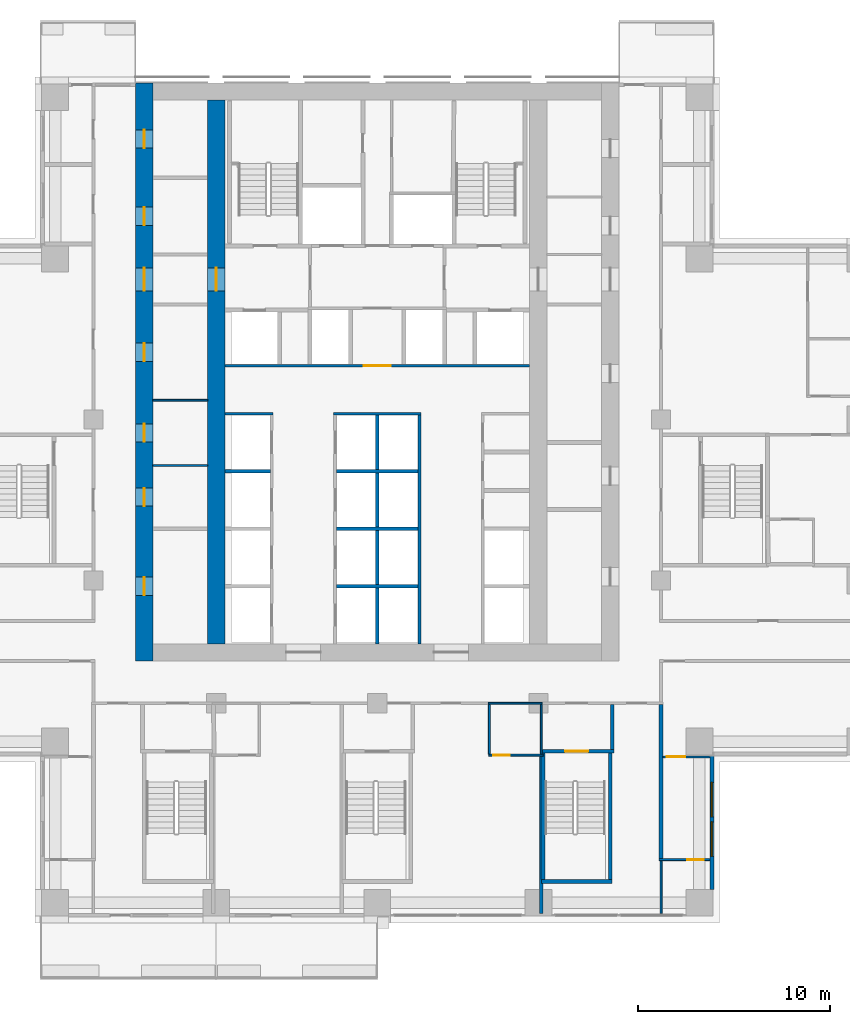
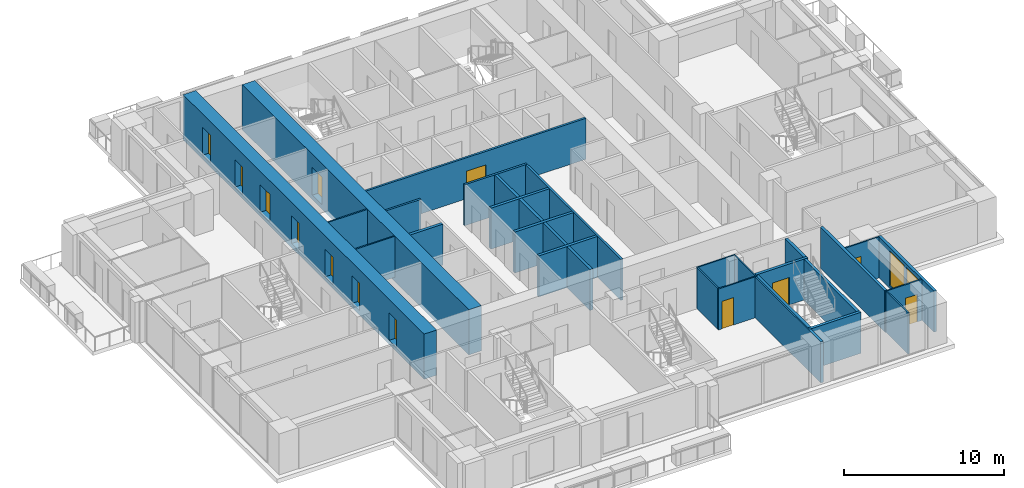
# One storey, part 8 of 16: 28 walls, 13 doors, 2 windows, 15 openings.
"""IFC4 building model written with IfcOpenShell, lengths in metres."""

from ifc_helpers import new_model, si_unit, direction, frame, frame_2d, origin, place, context, subcontext, project, spatial, rectangle, extrude, material, layer, layer_set, type_object, element, fill, save


model = new_model("IFC4")

# Units and contexts
model_context = context("Model", 3, precision=1e-05, world=origin(), true_north=direction((0.0, 1.0)))
body_context = subcontext(model_context, "Body", "Model", "MODEL_VIEW")
ifc_project = project(units=[si_unit("LENGTHUNIT", "METRE"), si_unit("AREAUNIT", "SQUARE_METRE"), si_unit("VOLUMEUNIT", "CUBIC_METRE"), si_unit("PLANEANGLEUNIT", "RADIAN"), si_unit("MASSUNIT", "GRAM", prefix="KILO")], contexts=[model_context])

# Site, building, storey
site_placement = place(None, origin())
site = spatial("IfcSite", under=ifc_project, at=site_placement, CompositionType="ELEMENT")
building_placement = place(site_placement, origin())
building = spatial("IfcBuilding", under=site, at=building_placement, Name="Vermilion Ogive Tower", CompositionType="ELEMENT")
storey_placement = place(building_placement, frame((0.0, 0.0, 41.39990234375)))
storey = spatial("IfcBuildingStorey", under=building, at=storey_placement, Name="L08", CompositionType="ELEMENT", Elevation=41.39990234375)

# Wall, openings, doors
ifc_material_1 = material(Name="Concrete B80", Category="concrete")
ifc_layer_1 = layer(ifc_material_1, 0.89990234375)
ifc_layer_set_1 = layer_set([ifc_layer_1], Name="Core wall 900 B80")
wall_type_1 = type_object("IfcWallType", Name="Core wall 900 B80", PredefinedType="SHEAR", material=ifc_layer_set_1)
wall_1_placement = place(storey_placement, frame((-12.14990234375, -8.39990234375, -0.31982421875), z_axis=(0.0, 0.0, 1.0), x_axis=(0.0, 1.0, 0.0)))
wall_1 = element("IfcWall", 1, at=wall_1_placement, inside=storey, type_object=wall_type_1, Name="L08-CORE-W", PredefinedType="SHEAR", context=body_context, shape_type="SweptSolid", body=[
    extrude(rectangle(XDim=30.14990234375, YDim=0.89990234375, at=frame_2d((15.074951171875, 0.0))), origin(), (0.0, 0.0, 1.0), 3.449951171875),
])
opening_1_placement = place(wall_1_placement, frame((3.425048828125, 0.0, 0.320068359375)))
opening_1 = element("IfcOpeningElement", 2, at=opening_1_placement, cuts=wall_1, Name="Opening DAD006", PredefinedType="OPENING", context=body_context, shape_type="SweptSolid", body=[
    extrude(rectangle(XDim=0.949951171875, YDim=2.10009765625, at=frame_2d((0.47509765625, 1.050048828125))), frame((0.0, 0.4599609375, 0.0), z_axis=(0.0, -1.0, 0.0), x_axis=(1.0, 0.0, 0.0)), (0.0, 0.0, 1.0), 0.919921875),
])
opening_2_placement = place(wall_1_placement, frame((8.074951171875, 0.0, 0.320068359375)))
opening_2 = element("IfcOpeningElement", 3, at=opening_2_placement, cuts=wall_1, Name="Opening DAD007", PredefinedType="OPENING", context=body_context, shape_type="SweptSolid", body=[
    extrude(rectangle(XDim=0.949951171875, YDim=2.10009765625, at=frame_2d((0.47509765625, 1.050048828125))), frame((0.0, 0.4599609375, 0.0), z_axis=(0.0, -1.0, 0.0), x_axis=(1.0, 0.0, 0.0)), (0.0, 0.0, 1.0), 0.919921875),
])
opening_3_placement = place(wall_1_placement, frame((11.425048828125, 0.0, 0.320068359375)))
opening_3 = element("IfcOpeningElement", 4, at=opening_3_placement, cuts=wall_1, Name="Opening DAD008", PredefinedType="OPENING", context=body_context, shape_type="SweptSolid", body=[
    extrude(rectangle(XDim=0.949951171875, YDim=2.10009765625, at=frame_2d((0.47509765625, 1.050048828125))), frame((0.0, 0.4599609375, 0.0), z_axis=(0.0, -1.0, 0.0), x_axis=(1.0, 0.0, 0.0)), (0.0, 0.0, 1.0), 0.919921875),
])
opening_4_placement = place(wall_1_placement, frame((15.625, 0.0, 0.320068359375)))
opening_4 = element("IfcOpeningElement", 5, at=opening_4_placement, cuts=wall_1, Name="Opening DAD009", PredefinedType="OPENING", context=body_context, shape_type="SweptSolid", body=[
    extrude(rectangle(XDim=0.949951171875, YDim=2.10009765625, at=frame_2d((0.47509765625, 1.050048828125))), frame((0.0, 0.4599609375, 0.0), z_axis=(0.0, -1.0, 0.0), x_axis=(1.0, 0.0, 0.0)), (0.0, 0.0, 1.0), 0.919921875),
])
opening_5_placement = place(wall_1_placement, frame((22.72509765625, 0.0, 0.320068359375)))
opening_5 = element("IfcOpeningElement", 6, at=opening_5_placement, cuts=wall_1, Name="Opening DAD010", PredefinedType="OPENING", context=body_context, shape_type="SweptSolid", body=[
    extrude(rectangle(XDim=0.949951171875, YDim=2.10009765625, at=frame_2d((0.47509765625, 1.050048828125))), frame((0.0, 0.4599609375, 0.0), z_axis=(0.0, -1.0, 0.0), x_axis=(1.0, 0.0, 0.0)), (0.0, 0.0, 1.0), 0.919921875),
])
opening_6_placement = place(wall_1_placement, frame((26.75, 0.0, 0.320068359375)))
opening_6 = element("IfcOpeningElement", 7, at=opening_6_placement, cuts=wall_1, Name="Opening DAD011", PredefinedType="OPENING", context=body_context, shape_type="SweptSolid", body=[
    extrude(rectangle(XDim=0.949951171875, YDim=2.10009765625, at=frame_2d((0.47509765625, 1.050048828125))), frame((0.0, 0.4599609375, 0.0), z_axis=(0.0, -1.0, 0.0), x_axis=(1.0, 0.0, 0.0)), (0.0, 0.0, 1.0), 0.919921875),
])
opening_7_placement = place(wall_1_placement, frame((19.300048828125, 0.0, 0.320068359375)))
opening_7 = element("IfcOpeningElement", 8, at=opening_7_placement, cuts=wall_1, Name="Opening DAM002", PredefinedType="OPENING", context=body_context, shape_type="SweptSolid", body=[
    extrude(rectangle(XDim=1.199951171875, YDim=2.10009765625, at=frame_2d((0.60009765625, 1.050048828125))), frame((0.0, 0.4599609375, 0.0), z_axis=(0.0, -1.0, 0.0), x_axis=(1.0, 0.0, 0.0)), (0.0, 0.0, 1.0), 0.919921875),
])
ifc_material_2 = material(Name="Timber door leaf", Category="wood")
door_type_1 = type_object("IfcDoorType", Name="Link door 1200 x 2100 FD60S", OperationType="SINGLE_SWING_LEFT", PredefinedType="DOOR", material=ifc_material_2)
door_1_placement = place(opening_7_placement, origin())
door_1 = element("IfcDoor", 9, at=door_1_placement, inside=storey, type_object=door_type_1, Name="L08-CKW-XL", OperationType="SINGLE_SWING_LEFT", OverallHeight=2.10009765625, OverallWidth=1.199951171875, PredefinedType="DOOR", context=body_context, shape_type="SweptSolid", body=[
    extrude(rectangle(XDim=1.199951171875, YDim=2.10009765625, at=frame_2d((0.60009765625, 1.050048828125))), frame((0.0, 0.02490234375, 0.0), z_axis=(0.0, -1.0, 0.0), x_axis=(1.0, 0.0, 0.0)), (0.0, 0.0, 1.0), 0.050048828125),
])
fill(opening_7, door_1)
ifc_material_3 = material(Name="Timber door leaf", Category="wood")
door_type_2 = type_object("IfcDoorType", Name="Service door 950 x 2100 FD60", OperationType="SINGLE_SWING_LEFT", PredefinedType="DOOR", material=ifc_material_3)
door_2_placement = place(opening_1_placement, origin())
door_2 = element("IfcDoor", 10, at=door_2_placement, inside=storey, type_object=door_type_2, Name="L08-CKW-XR0", OperationType="SINGLE_SWING_LEFT", OverallHeight=2.10009765625, OverallWidth=0.949951171875, PredefinedType="DOOR", context=body_context, shape_type="SweptSolid", body=[
    extrude(rectangle(XDim=0.949951171875, YDim=2.10009765625, at=frame_2d((0.47509765625, 1.050048828125))), frame((0.0, 0.02490234375, 0.0), z_axis=(0.0, -1.0, 0.0), x_axis=(1.0, 0.0, 0.0)), (0.0, 0.0, 1.0), 0.050048828125),
])
fill(opening_1, door_2)
door_3_placement = place(opening_2_placement, origin())
door_3 = element("IfcDoor", 11, at=door_3_placement, inside=storey, type_object=door_type_2, Name="L08-CKW-XR1", OperationType="SINGLE_SWING_LEFT", OverallHeight=2.10009765625, OverallWidth=0.949951171875, PredefinedType="DOOR", context=body_context, shape_type="SweptSolid", body=[
    extrude(rectangle(XDim=0.949951171875, YDim=2.10009765625, at=frame_2d((0.47509765625, 1.050048828125))), frame((0.0, 0.02490234375, 0.0), z_axis=(0.0, -1.0, 0.0), x_axis=(1.0, 0.0, 0.0)), (0.0, 0.0, 1.0), 0.050048828125),
])
fill(opening_2, door_3)
door_4_placement = place(opening_3_placement, origin())
door_4 = element("IfcDoor", 12, at=door_4_placement, inside=storey, type_object=door_type_2, Name="L08-CKW-XR2", OperationType="SINGLE_SWING_LEFT", OverallHeight=2.10009765625, OverallWidth=0.949951171875, PredefinedType="DOOR", context=body_context, shape_type="SweptSolid", body=[
    extrude(rectangle(XDim=0.949951171875, YDim=2.10009765625, at=frame_2d((0.47509765625, 1.050048828125))), frame((0.0, 0.02490234375, 0.0), z_axis=(0.0, -1.0, 0.0), x_axis=(1.0, 0.0, 0.0)), (0.0, 0.0, 1.0), 0.050048828125),
])
fill(opening_3, door_4)
door_5_placement = place(opening_4_placement, origin())
door_5 = element("IfcDoor", 13, at=door_5_placement, inside=storey, type_object=door_type_2, Name="L08-CKW-XR3", OperationType="SINGLE_SWING_LEFT", OverallHeight=2.10009765625, OverallWidth=0.949951171875, PredefinedType="DOOR", context=body_context, shape_type="SweptSolid", body=[
    extrude(rectangle(XDim=0.949951171875, YDim=2.10009765625, at=frame_2d((0.47509765625, 1.050048828125))), frame((0.0, 0.02490234375, 0.0), z_axis=(0.0, -1.0, 0.0), x_axis=(1.0, 0.0, 0.0)), (0.0, 0.0, 1.0), 0.050048828125),
])
fill(opening_4, door_5)
door_6_placement = place(opening_5_placement, origin())
door_6 = element("IfcDoor", 14, at=door_6_placement, inside=storey, type_object=door_type_2, Name="L08-CKW-XR4", OperationType="SINGLE_SWING_LEFT", OverallHeight=2.10009765625, OverallWidth=0.949951171875, PredefinedType="DOOR", context=body_context, shape_type="SweptSolid", body=[
    extrude(rectangle(XDim=0.949951171875, YDim=2.10009765625, at=frame_2d((0.47509765625, 1.050048828125))), frame((0.0, 0.02490234375, 0.0), z_axis=(0.0, -1.0, 0.0), x_axis=(1.0, 0.0, 0.0)), (0.0, 0.0, 1.0), 0.050048828125),
])
fill(opening_5, door_6)
door_7_placement = place(opening_6_placement, origin())
door_7 = element("IfcDoor", 15, at=door_7_placement, inside=storey, type_object=door_type_2, Name="L08-CKW-XR5", OperationType="SINGLE_SWING_LEFT", OverallHeight=2.10009765625, OverallWidth=0.949951171875, PredefinedType="DOOR", context=body_context, shape_type="SweptSolid", body=[
    extrude(rectangle(XDim=0.949951171875, YDim=2.10009765625, at=frame_2d((0.47509765625, 1.050048828125))), frame((0.0, 0.02490234375, 0.0), z_axis=(0.0, -1.0, 0.0), x_axis=(1.0, 0.0, 0.0)), (0.0, 0.0, 1.0), 0.050048828125),
])
fill(opening_6, door_7)

# Wall, opening, door
wall_2_placement = place(storey_placement, frame((-8.39990234375, -7.5, -0.31982421875), z_axis=(0.0, 0.0, 1.0), x_axis=(0.0, 1.0, 0.0)))
wall_2 = element("IfcWall", 16, at=wall_2_placement, inside=storey, type_object=wall_type_1, Name="L08-CORE-WEB1", PredefinedType="SHEAR", context=body_context, shape_type="SweptSolid", body=[
    extrude(rectangle(XDim=28.35009765625, YDim=0.89990234375, at=frame_2d((14.175048828125, 0.0))), origin(), (0.0, 0.0, 1.0), 3.449951171875),
])
opening_8_placement = place(wall_2_placement, frame((18.39990234375, 0.0, 0.320068359375)))
opening_8 = element("IfcOpeningElement", 17, at=opening_8_placement, cuts=wall_2, Name="Opening DAP002", PredefinedType="OPENING", context=body_context, shape_type="SweptSolid", body=[
    extrude(rectangle(XDim=1.199951171875, YDim=2.10009765625, at=frame_2d((0.60009765625, 1.050048828125))), frame((0.0, 0.4599609375, 0.0), z_axis=(0.0, -1.0, 0.0), x_axis=(1.0, 0.0, 0.0)), (0.0, 0.0, 1.0), 0.919921875),
])
door_8_placement = place(opening_8_placement, origin())
door_8 = element("IfcDoor", 18, at=door_8_placement, inside=storey, type_object=door_type_1, Name="L08-CKW-XW", OperationType="SINGLE_SWING_LEFT", OverallHeight=2.10009765625, OverallWidth=1.199951171875, PredefinedType="DOOR", context=body_context, shape_type="SweptSolid", body=[
    extrude(rectangle(XDim=1.199951171875, YDim=2.10009765625, at=frame_2d((0.60009765625, 1.050048828125))), frame((0.0, 0.02490234375, 0.0), z_axis=(0.0, -1.0, 0.0), x_axis=(1.0, 0.0, 0.0)), (0.0, 0.0, 1.0), 0.050048828125),
])
fill(opening_8, door_8)

ifc_material_4 = material(Name="Gypsum board partition on steel studs", Category="steel")
ifc_layer_2 = layer(ifc_material_4, 0.10009765625)
ifc_layer_set_2 = layer_set([ifc_layer_2], Name="Partition 100 bath")
wall_type_2 = type_object("IfcWallType", Name="Partition 100 bath", PredefinedType="PARTITIONING", material=ifc_layer_set_2)
wall_3_placement = place(storey_placement, frame((14.699951171875, -18.75, 0.0), z_axis=(0.0, 0.0, 1.0), x_axis=(1.0, 0.0, 0.0)))
wall_3 = element("IfcWall", 19, at=wall_3_placement, inside=storey, type_object=wall_type_2, Name="L08-W-W005", PredefinedType="PARTITIONING", context=body_context, shape_type="SweptSolid", body=[
    extrude(rectangle(XDim=2.650146484375, YDim=0.10009765625, at=frame_2d((1.3251953125, 0.0))), origin(), (0.0, 0.0, 1.0), 3.130126953125),
])
opening_9_placement = place(wall_3_placement, frame((1.47509765625, 0.0, 0.0)))
opening_9 = element("IfcOpeningElement", 20, at=opening_9_placement, cuts=wall_3, Name="Opening D1G2017", PredefinedType="OPENING", context=body_context, shape_type="SweptSolid", body=[
    extrude(rectangle(XDim=0.85009765625, YDim=2.10009765625, at=frame_2d((0.425048828125, 1.050048828125))), frame((0.0, 0.06005859375, 0.0), z_axis=(0.0, -1.0, 0.0), x_axis=(1.0, 0.0, 0.0)), (0.0, 0.0, 1.0), 0.1201171875),
])
ifc_material_5 = material(Name="Timber door leaf", Category="wood")
door_type_3 = type_object("IfcDoorType", Name="Bath door 850 x 2100 FD30", OperationType="SINGLE_SWING_LEFT", PredefinedType="DOOR", material=ifc_material_5)
door_9_placement = place(opening_9_placement, origin())
door_9 = element("IfcDoor", 21, at=door_9_placement, inside=storey, type_object=door_type_3, Name="L08-D-D017", OperationType="SINGLE_SWING_LEFT", OverallHeight=2.10009765625, OverallWidth=0.85009765625, PredefinedType="DOOR", context=body_context, shape_type="SweptSolid", body=[
    extrude(rectangle(XDim=0.85009765625, YDim=2.10009765625, at=frame_2d((0.425048828125, 1.050048828125))), frame((0.0, 0.02490234375, 0.0), z_axis=(0.0, -1.0, 0.0), x_axis=(1.0, 0.0, 0.0)), (0.0, 0.0, 1.0), 0.050048828125),
])
fill(opening_9, door_9)

wall_4_placement = place(storey_placement, frame((5.802001953125, -13.300048828125, 0.0), z_axis=(0.0, 0.0, 1.0), x_axis=(1.0, 0.0, 0.0)))
wall_4 = element("IfcWall", 22, at=wall_4_placement, inside=storey, type_object=wall_type_2, Name="L08-W-W009", PredefinedType="PARTITIONING", context=body_context, shape_type="SweptSolid", body=[
    extrude(rectangle(XDim=2.847900390625, YDim=0.10009765625, at=frame_2d((1.423828125, 0.0))), origin(), (0.0, 0.0, 1.0), 3.130126953125),
])
opening_10_placement = place(wall_4_placement, frame((0.248046875, 0.0, 0.0)))
opening_10 = element("IfcOpeningElement", 23, at=opening_10_placement, cuts=wall_4, Name="Opening D1G2014", PredefinedType="OPENING", context=body_context, shape_type="SweptSolid", body=[
    extrude(rectangle(XDim=0.85009765625, YDim=2.10009765625, at=frame_2d((0.425048828125, 1.050048828125))), frame((0.0, 0.06005859375, 0.0), z_axis=(0.0, -1.0, 0.0), x_axis=(1.0, 0.0, 0.0)), (0.0, 0.0, 1.0), 0.1201171875),
])
door_10_placement = place(opening_10_placement, origin())
door_10 = element("IfcDoor", 24, at=door_10_placement, inside=storey, type_object=door_type_3, Name="L08-D-D014", OperationType="SINGLE_SWING_LEFT", OverallHeight=2.10009765625, OverallWidth=0.85009765625, PredefinedType="DOOR", context=body_context, shape_type="SweptSolid", body=[
    extrude(rectangle(XDim=0.85009765625, YDim=2.10009765625, at=frame_2d((0.425048828125, 1.050048828125))), frame((0.0, 0.02490234375, 0.0), z_axis=(0.0, -1.0, 0.0), x_axis=(1.0, 0.0, 0.0)), (0.0, 0.0, 1.0), 0.050048828125),
])
fill(opening_10, door_10)

# Walls
wall_5_placement = place(storey_placement, frame((5.800048828125, -10.60009765625, 0.0), z_axis=(0.0, 0.0, 1.0), x_axis=(1.0, 0.0, 0.0)))
element("IfcWall", 25, at=wall_5_placement, inside=storey, type_object=wall_type_2, Name="L08-W-W016", PredefinedType="PARTITIONING", context=body_context, shape_type="SweptSolid", body=[
    extrude(rectangle(XDim=2.800048828125, YDim=0.10009765625, at=frame_2d((1.39990234375, 0.0))), origin(), (0.0, 0.0, 1.0), 3.130126953125),
])
wall_6_placement = place(storey_placement, frame((5.85009765625, -13.248046875, 0.0), z_axis=(0.0, 0.0, 1.0), x_axis=(0.0, 1.0, 0.0)))
element("IfcWall", 26, at=wall_6_placement, inside=storey, type_object=wall_type_2, Name="L08-W-W059", PredefinedType="PARTITIONING", context=body_context, shape_type="SweptSolid", body=[
    extrude(rectangle(XDim=2.572998046875, YDim=0.10009765625, at=frame_2d((1.28662109375, 0.0))), origin(), (0.0, 0.0, 1.0), 3.130126953125),
])
wall_7_placement = place(storey_placement, frame((8.550048828125, -13.25, 0.0), z_axis=(0.0, 0.0, 1.0), x_axis=(0.0, 1.0, 0.0)))
element("IfcWall", 27, at=wall_7_placement, inside=storey, type_object=wall_type_2, Name="L08-W-W061", PredefinedType="PARTITIONING", context=body_context, shape_type="SweptSolid", body=[
    extrude(rectangle(XDim=2.574951171875, YDim=0.10009765625, at=frame_2d((1.28759765625, 0.0))), origin(), (0.0, 0.0, 1.0), 3.130126953125),
])
wall_8_placement = place(storey_placement, frame((14.800048828125, -21.550048828125, 0.0), z_axis=(0.0, 0.0, 1.0), x_axis=(0.0, 1.0, 0.0)))
element("IfcWall", 28, at=wall_8_placement, inside=storey, type_object=wall_type_2, Name="L08-W-W065", PredefinedType="PARTITIONING", context=body_context, shape_type="SweptSolid", body=[
    extrude(rectangle(XDim=2.75, YDim=0.10009765625, at=frame_2d((1.375, 0.0))), origin(), (0.0, 0.0, 1.0), 3.130126953125),
])
for number, where, z_axis, x_axis, name in (
    (29, (-11.698974609375, 1.800048828125, 0.0), (0.0, 0.0, 1.0), (1.0, 0.0, 0.0), "L08-CKW-W-W002"),
    (30, (-11.698974609375, 5.199951171875, 0.0), (0.0, 0.0, 1.0), (1.0, 0.0, 0.0), "L08-CKW-W-W003"),
):
    element("IfcWall", number, at=place(storey_placement, frame(where, z_axis=z_axis, x_axis=x_axis)), inside=storey, type_object=wall_type_2, Name=name, PredefinedType="PARTITIONING", context=body_context, shape_type="SweptSolid", body=[
        extrude(rectangle(XDim=2.847900390625, YDim=0.10009765625, at=frame_2d((1.423828125, 0.0))), origin(), (0.0, 0.0, 1.0), 3.130126953125),
    ])

# Wall, opening, door
ifc_material_6 = material(Name="Gypsum board partition on steel studs", Category="steel")
ifc_layer_3 = layer(ifc_material_6, 0.10009765625)
ifc_layer_set_3 = layer_set([ifc_layer_3], Name="Partition 100 inner")
wall_type_3 = type_object("IfcWallType", Name="Partition 100 inner", PredefinedType="PARTITIONING", material=ifc_layer_set_3)
wall_9_placement = place(storey_placement, frame((14.89990234375, -13.39990234375, 0.0), z_axis=(0.0, 0.0, 1.0), x_axis=(1.0, 0.0, 0.0)))
wall_9 = element("IfcWall", 31, at=wall_9_placement, inside=storey, type_object=wall_type_3, Name="L08-W-W007", PredefinedType="PARTITIONING", context=body_context, shape_type="SweptSolid", body=[
    extrude(rectangle(XDim=2.4501953125, YDim=0.10009765625, at=frame_2d((1.22509765625, 0.0))), origin(), (0.0, 0.0, 1.0), 3.130126953125),
])
opening_11_placement = place(wall_9_placement, frame((0.2001953125, 0.0, 0.0)))
opening_11 = element("IfcOpeningElement", 32, at=opening_11_placement, cuts=wall_9, Name="Opening D1G2016", PredefinedType="OPENING", context=body_context, shape_type="SweptSolid", body=[
    extrude(rectangle(XDim=0.949951171875, YDim=2.10009765625, at=frame_2d((0.47509765625, 1.050048828125))), frame((0.0, 0.06005859375, 0.0), z_axis=(0.0, -1.0, 0.0), x_axis=(1.0, 0.0, 0.0)), (0.0, 0.0, 1.0), 0.1201171875),
])
ifc_material_7 = material(Name="Timber door leaf", Category="wood")
door_type_4 = type_object("IfcDoorType", Name="Inner door 950 x 2100 FD30", OperationType="SINGLE_SWING_LEFT", PredefinedType="DOOR", material=ifc_material_7)
door_11_placement = place(opening_11_placement, origin())
door_11 = element("IfcDoor", 33, at=door_11_placement, inside=storey, type_object=door_type_4, Name="L08-D-D016", OperationType="SINGLE_SWING_RIGHT", OverallHeight=2.10009765625, OverallWidth=0.949951171875, PredefinedType="DOOR", context=body_context, shape_type="SweptSolid", body=[
    extrude(rectangle(XDim=0.949951171875, YDim=2.10009765625, at=frame_2d((0.47509765625, 1.050048828125))), frame((0.0, 0.02490234375, 0.0), z_axis=(0.0, -1.0, 0.0), x_axis=(1.0, 0.0, 0.0)), (0.0, 0.0, 1.0), 0.050048828125),
])
fill(opening_11, door_11)

# Walls
ifc_material_8 = material(Name="Gypsum board partition on steel studs", Category="steel")
ifc_layer_4 = layer(ifc_material_8, 0.14990234375)
ifc_layer_set_4 = layer_set([ifc_layer_4], Name="Partition 150 corridor")
wall_type_4 = type_object("IfcWallType", Name="Partition 150 corridor", PredefinedType="PARTITIONING", material=ifc_layer_set_4)
wall_10_placement = place(storey_placement, frame((-7.948974609375, 4.5, 0.0), z_axis=(0.0, 0.0, 1.0), x_axis=(1.0, 0.0, 0.0)))
element("IfcWall", 34, at=wall_10_placement, inside=storey, type_object=wall_type_4, Name="L08-CK-W-W011", PredefinedType="PARTITIONING", context=body_context, shape_type="SweptSolid", body=[
    extrude(rectangle(XDim=2.52392578125, YDim=0.14990234375, at=frame_2d((1.261962890625, 0.0))), origin(), (0.0, 0.0, 1.0), 3.130126953125),
])
wall_11_placement = place(storey_placement, frame((-2.27490234375, 4.5, 0.0), z_axis=(0.0, 0.0, 1.0), x_axis=(1.0, 0.0, 0.0)))
element("IfcWall", 35, at=wall_11_placement, inside=storey, type_object=wall_type_4, Name="L08-CK-W-W012", PredefinedType="PARTITIONING", context=body_context, shape_type="SweptSolid", body=[
    extrude(rectangle(XDim=4.5498046875, YDim=0.14990234375, at=frame_2d((2.27490234375, 0.0))), origin(), (0.0, 0.0, 1.0), 3.130126953125),
])

# Wall, opening, door
wall_12_placement = place(storey_placement, frame((-7.948974609375, 7.0, 0.0), z_axis=(0.0, 0.0, 1.0), x_axis=(1.0, 0.0, 0.0)))
wall_12 = element("IfcWall", 36, at=wall_12_placement, inside=storey, type_object=wall_type_4, Name="L08-CK-W-W014", PredefinedType="PARTITIONING", context=body_context, shape_type="SweptSolid", body=[
    extrude(rectangle(XDim=15.89794921875, YDim=0.14990234375, at=frame_2d((7.948974609375, 0.0))), origin(), (0.0, 0.0, 1.0), 3.130126953125),
])
opening_12_placement = place(wall_12_placement, frame((7.2490234375, 0.0, 0.0)))
opening_12 = element("IfcOpeningElement", 37, at=opening_12_placement, cuts=wall_12, Name="Opening DAA024", PredefinedType="OPENING", context=body_context, shape_type="SweptSolid", body=[
    extrude(rectangle(XDim=1.39990234375, YDim=2.10009765625, at=frame_2d((0.699951171875, 1.050048828125))), frame((0.0, 0.0849609375, 0.0), z_axis=(0.0, -1.0, 0.0), x_axis=(1.0, 0.0, 0.0)), (0.0, 0.0, 1.0), 0.169921875),
])
ifc_material_9 = material(Name="Timber door leaf", Category="wood")
door_type_5 = type_object("IfcDoorType", Name="Lobby door 1400 x 2100 FD60S", OperationType="SINGLE_SWING_LEFT", PredefinedType="DOOR", material=ifc_material_9)
door_12_placement = place(opening_12_placement, origin())
door_12 = element("IfcDoor", 38, at=door_12_placement, inside=storey, type_object=door_type_5, Name="L08-CK-D-D016", OperationType="SINGLE_SWING_RIGHT", OverallHeight=2.10009765625, OverallWidth=1.39990234375, PredefinedType="DOOR", context=body_context, shape_type="SweptSolid", body=[
    extrude(rectangle(XDim=1.39990234375, YDim=2.10009765625, at=frame_2d((0.699951171875, 1.050048828125))), frame((0.0, 0.02490234375, 0.0), z_axis=(0.0, -1.0, 0.0), x_axis=(1.0, 0.0, 0.0)), (0.0, 0.0, 1.0), 0.050048828125),
])
fill(opening_12, door_12)

# Walls
wall_13_placement = place(storey_placement, frame((2.199951171875, -7.4990234375, 0.0), z_axis=(0.0, 0.0, 1.0), x_axis=(0.0, 1.0, 0.0)))
element("IfcWall", 39, at=wall_13_placement, inside=storey, type_object=wall_type_4, Name="L08-CK-W-W035", PredefinedType="PARTITIONING", context=body_context, shape_type="SweptSolid", body=[
    extrude(rectangle(XDim=11.924072265625, YDim=0.14990234375, at=frame_2d((5.9619140625, 0.0))), origin(), (0.0, 0.0, 1.0), 3.130126953125),
])
ifc_material_10 = material(Name="Gypsum board partition on steel studs", Category="steel")
ifc_layer_5 = layer(ifc_material_10, 0.199951171875)
ifc_layer_set_5 = layer_set([ifc_layer_5], Name="Partition 200 party")
wall_type_5 = type_object("IfcWallType", Name="Partition 200 party", PredefinedType="PARTITIONING", material=ifc_layer_set_5)
wall_14_placement = place(storey_placement, frame((14.800048828125, -18.699951171875, 0.0), z_axis=(0.0, 0.0, 1.0), x_axis=(0.0, 1.0, 0.0)))
element("IfcWall", 40, at=wall_14_placement, inside=storey, type_object=wall_type_5, Name="L08-W-W066", PredefinedType="PARTITIONING", context=body_context, shape_type="SweptSolid", body=[
    extrude(rectangle(XDim=8.02490234375, YDim=0.199951171875, at=frame_2d((4.012451171875, 0.0))), origin(), (0.0, 0.0, 1.0), 3.130126953125),
])
for number, where, z_axis, x_axis, name in (
    (41, (-2.125, -4.5, 0.0), (0.0, 0.0, 1.0), (1.0, 0.0, 0.0), "L08-CK-W-W002"),
    (42, (-2.125, -1.5, 0.0), (0.0, 0.0, 1.0), (1.0, 0.0, 0.0), "L08-CK-W-W005"),
):
    element("IfcWall", number, at=place(storey_placement, frame(where, z_axis=z_axis, x_axis=x_axis)), inside=storey, type_object=wall_type_5, Name=name, PredefinedType="PARTITIONING", context=body_context, shape_type="SweptSolid", body=[
        extrude(rectangle(XDim=4.25, YDim=0.199951171875, at=frame_2d((2.125, 0.0))), origin(), (0.0, 0.0, 1.0), 3.130126953125),
    ])
wall_15_placement = place(storey_placement, frame((-7.948974609375, 1.5, 0.0), z_axis=(0.0, 0.0, 1.0), x_axis=(1.0, 0.0, 0.0)))
element("IfcWall", 43, at=wall_15_placement, inside=storey, type_object=wall_type_5, Name="L08-CK-W-W008", PredefinedType="PARTITIONING", context=body_context, shape_type="SweptSolid", body=[
    extrude(rectangle(XDim=2.3740234375, YDim=0.199951171875, at=frame_2d((1.18701171875, 0.0))), origin(), (0.0, 0.0, 1.0), 3.130126953125),
])
wall_16_placement = place(storey_placement, frame((-2.125, 1.5, 0.0), z_axis=(0.0, 0.0, 1.0), x_axis=(1.0, 0.0, 0.0)))
element("IfcWall", 44, at=wall_16_placement, inside=storey, type_object=wall_type_5, Name="L08-CK-W-W009", PredefinedType="PARTITIONING", context=body_context, shape_type="SweptSolid", body=[
    extrude(rectangle(XDim=4.25, YDim=0.199951171875, at=frame_2d((2.125, 0.0))), origin(), (0.0, 0.0, 1.0), 3.130126953125),
])
wall_17_placement = place(storey_placement, frame((0.0, -7.4990234375, 0.0), z_axis=(0.0, 0.0, 1.0), x_axis=(0.0, 1.0, 0.0)))
element("IfcWall", 45, at=wall_17_placement, inside=storey, type_object=wall_type_5, Name="L08-CK-W-W031", PredefinedType="PARTITIONING", context=body_context, shape_type="SweptSolid", body=[
    extrude(rectangle(XDim=11.924072265625, YDim=0.199951171875, at=frame_2d((5.9619140625, 0.0))), origin(), (0.0, 0.0, 1.0), 3.130126953125),
])
ifc_material_11 = material(Name="Concrete B60", Category="concrete")
ifc_layer_6 = layer(ifc_material_11, 0.199951171875)
ifc_layer_set_6 = layer_set([ifc_layer_6], Name="Stair shaft wall 200 Concrete B60")
wall_type_6 = type_object("IfcWallType", Name="Stair shaft wall 200 Concrete B60", PredefinedType="SOLIDWALL", material=ifc_layer_set_6)
wall_18_placement = place(storey_placement, frame((8.552001953125, -19.89990234375, 0.0), z_axis=(0.0, 0.0, 1.0), x_axis=(1.0, 0.0, 0.0)))
element("IfcWall", 46, at=wall_18_placement, inside=storey, type_object=wall_type_6, Name="L08-W-W003", PredefinedType="SOLIDWALL", context=body_context, shape_type="SweptSolid", body=[
    extrude(rectangle(XDim=3.696044921875, YDim=0.199951171875, at=frame_2d((1.84814453125, 0.0))), origin(), (0.0, 0.0, 1.0), 3.130126953125),
])

# Wall, opening, door
wall_19_placement = place(storey_placement, frame((8.60205078125, -13.10009765625, 0.0), z_axis=(0.0, 0.0, 1.0), x_axis=(1.0, 0.0, 0.0)))
wall_19 = element("IfcWall", 47, at=wall_19_placement, inside=storey, type_object=wall_type_6, Name="L08-W-W012", PredefinedType="SOLIDWALL", context=body_context, shape_type="SweptSolid", body=[
    extrude(rectangle(XDim=3.745849609375, YDim=0.199951171875, at=frame_2d((1.873046875, 0.0))), origin(), (0.0, 0.0, 1.0), 3.130126953125),
])
opening_13_placement = place(wall_19_placement, frame((1.197998046875, 0.0, 0.0)))
opening_13 = element("IfcOpeningElement", 48, at=opening_13_placement, cuts=wall_19, Name="Opening D1G2030", PredefinedType="OPENING", context=body_context, shape_type="SweptSolid", body=[
    extrude(rectangle(XDim=1.199951171875, YDim=2.10009765625, at=frame_2d((0.60009765625, 1.050048828125))), frame((0.0, 0.10986328125, 0.0), z_axis=(0.0, -1.0, 0.0), x_axis=(1.0, 0.0, 0.0)), (0.0, 0.0, 1.0), 0.219970703125),
])
ifc_material_12 = material(Name="Timber door leaf", Category="wood")
door_type_6 = type_object("IfcDoorType", Name="Stair door 1200 x 2100 FD60S", OperationType="SINGLE_SWING_LEFT", PredefinedType="DOOR", material=ifc_material_12)
door_13_placement = place(opening_13_placement, origin())
door_13 = element("IfcDoor", 49, at=door_13_placement, inside=storey, type_object=door_type_6, Name="L08-D-D030", OperationType="SINGLE_SWING_RIGHT", OverallHeight=2.10009765625, OverallWidth=1.199951171875, PredefinedType="DOOR", context=body_context, shape_type="SweptSolid", body=[
    extrude(rectangle(XDim=1.199951171875, YDim=2.10009765625, at=frame_2d((0.60009765625, 1.050048828125))), frame((0.0, 0.02490234375, 0.0), z_axis=(0.0, -1.0, 0.0), x_axis=(1.0, 0.0, 0.0)), (0.0, 0.0, 1.0), 0.050048828125),
])
fill(opening_13, door_13)

# Walls
for number, where, z_axis, x_axis, name in (
    (50, (8.64990234375, -19.798095703125, 0.0), (0.0, 0.0, 1.0), (0.0, 1.0, 0.0), "L08-W-W062"),
    (51, (12.14990234375, -19.798095703125, 0.0), (0.0, 0.0, 1.0), (0.0, 1.0, 0.0), "L08-W-W063"),
):
    element("IfcWall", number, at=place(storey_placement, frame(where, z_axis=z_axis, x_axis=x_axis)), inside=storey, type_object=wall_type_6, Name=name, PredefinedType="SOLIDWALL", context=body_context, shape_type="SweptSolid", body=[
        extrude(rectangle(XDim=6.59619140625, YDim=0.199951171875, at=frame_2d((3.298095703125, 0.0))), origin(), (0.0, 0.0, 1.0), 3.130126953125),
    ])
wall_20_placement = place(storey_placement, frame((12.25, -12.998046875, 0.0), z_axis=(0.0, 0.0, 1.0), x_axis=(0.0, 1.0, 0.0)))
element("IfcWall", 52, at=wall_20_placement, inside=storey, type_object=wall_type_6, Name="L08-W-W064", PredefinedType="SOLIDWALL", context=body_context, shape_type="SweptSolid", body=[
    extrude(rectangle(XDim=2.322998046875, YDim=0.199951171875, at=frame_2d((1.16162109375, 0.0))), origin(), (0.0, 0.0, 1.0), 3.130126953125),
])
wall_21_placement = place(storey_placement, frame((8.550048828125, -21.550048828125, 0.0), z_axis=(0.0, 0.0, 1.0), x_axis=(0.0, 1.0, 0.0)))
element("IfcWall", 53, at=wall_21_placement, inside=storey, type_object=wall_type_6, Name="L08-W-W060-A", PredefinedType="SOLIDWALL", context=body_context, shape_type="SweptSolid", body=[
    extrude(rectangle(XDim=8.199951171875, YDim=0.199951171875, at=frame_2d((4.10009765625, 0.0))), origin(), (0.0, 0.0, 1.0), 3.130126953125),
])

# Wall, openings, windows
ifc_material_13 = material(Name="Aluminium window wall framing", Category="aluminium")
ifc_layer_7 = layer(ifc_material_13, 0.199951171875)
ifc_layer_set_7 = layer_set([ifc_layer_7], Name="Window wall")
wall_type_7 = type_object("IfcWallType", Name="Window wall", PredefinedType="STANDARD", material=ifc_layer_set_7)
wall_22_placement = place(storey_placement, frame((17.449951171875, -20.300048828125, 0.0), z_axis=(0.0, 0.0, 1.0), x_axis=(0.0, 1.0, 0.0)))
wall_22 = element("IfcWall", 54, at=wall_22_placement, inside=storey, type_object=wall_type_7, Name="Window wall X11", PredefinedType="STANDARD", context=body_context, shape_type="SweptSolid", body=[
    extrude(rectangle(XDim=6.949951171875, YDim=0.199951171875, at=frame_2d((3.47509765625, 0.0))), origin(), (0.0, 0.0, 1.0), 3.130126953125),
])
opening_14_placement = place(wall_22_placement, frame((1.719970703125, 0.0, 0.199951171875)))
opening_14 = element("IfcOpeningElement", 55, at=opening_14_placement, cuts=wall_22, Name="Opening W1-X195", PredefinedType="OPENING", context=body_context, shape_type="SweptSolid", body=[
    extrude(rectangle(XDim=1.800048828125, YDim=2.64990234375, at=frame_2d((0.89990234375, 1.324951171875))), frame((0.0, 0.10986328125, 0.0), z_axis=(0.0, -1.0, 0.0), x_axis=(1.0, 0.0, 0.0)), (0.0, 0.0, 1.0), 0.219970703125),
])
opening_15_placement = place(wall_22_placement, frame((3.77490234375, 0.0, 0.199951171875)))
opening_15 = element("IfcOpeningElement", 56, at=opening_15_placement, cuts=wall_22, Name="Opening W1-X196", PredefinedType="OPENING", context=body_context, shape_type="SweptSolid", body=[
    extrude(rectangle(XDim=1.800048828125, YDim=2.64990234375, at=frame_2d((0.89990234375, 1.324951171875))), frame((0.0, 0.10986328125, 0.0), z_axis=(0.0, -1.0, 0.0), x_axis=(1.0, 0.0, 0.0)), (0.0, 0.0, 1.0), 0.219970703125),
])
ifc_material_14 = material(Name="Aluminium framed double glazing", Category="aluminium")
window_type = type_object("IfcWindowType", Name="Guest window W1", PartitioningType="SINGLE_PANEL", PredefinedType="WINDOW", material=ifc_material_14)
window_1_placement = place(opening_14_placement, origin())
window_1 = element("IfcWindow", 57, at=window_1_placement, inside=storey, type_object=window_type, Name="Window X195", OverallHeight=2.64990234375, OverallWidth=1.800048828125, PartitioningType="SINGLE_PANEL", PredefinedType="WINDOW", context=body_context, shape_type="SweptSolid", body=[
    extrude(rectangle(XDim=1.800048828125, YDim=2.64990234375, at=frame_2d((0.89990234375, 1.324951171875))), frame((0.0, 0.030029296875, 0.0), z_axis=(0.0, -1.0, 0.0), x_axis=(1.0, 0.0, 0.0)), (0.0, 0.0, 1.0), 0.06005859375),
])
fill(opening_14, window_1)
window_2_placement = place(opening_15_placement, origin())
window_2 = element("IfcWindow", 58, at=window_2_placement, inside=storey, type_object=window_type, Name="Window X196", OverallHeight=2.64990234375, OverallWidth=1.800048828125, PartitioningType="SINGLE_PANEL", PredefinedType="WINDOW", context=body_context, shape_type="SweptSolid", body=[
    extrude(rectangle(XDim=1.800048828125, YDim=2.64990234375, at=frame_2d((0.89990234375, 1.324951171875))), frame((0.0, 0.030029296875, 0.0), z_axis=(0.0, -1.0, 0.0), x_axis=(1.0, 0.0, 0.0)), (0.0, 0.0, 1.0), 0.06005859375),
])
fill(opening_15, window_2)

save(model, "model.ifc")
